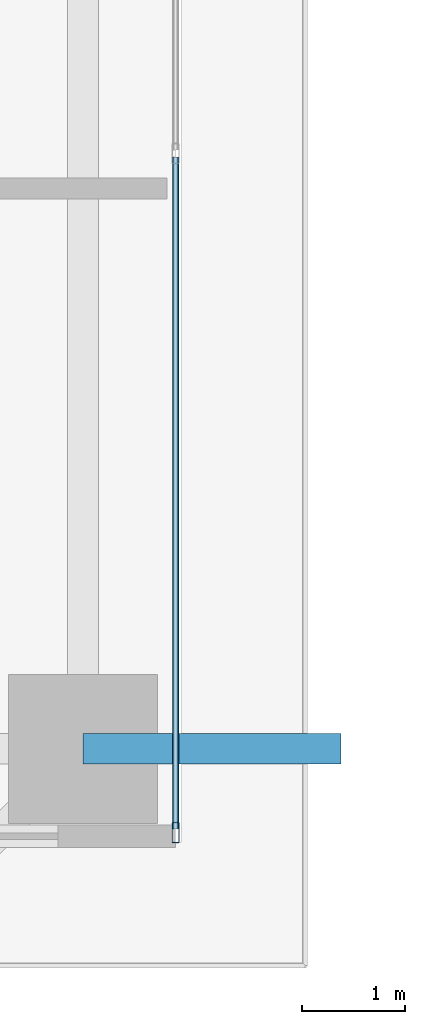
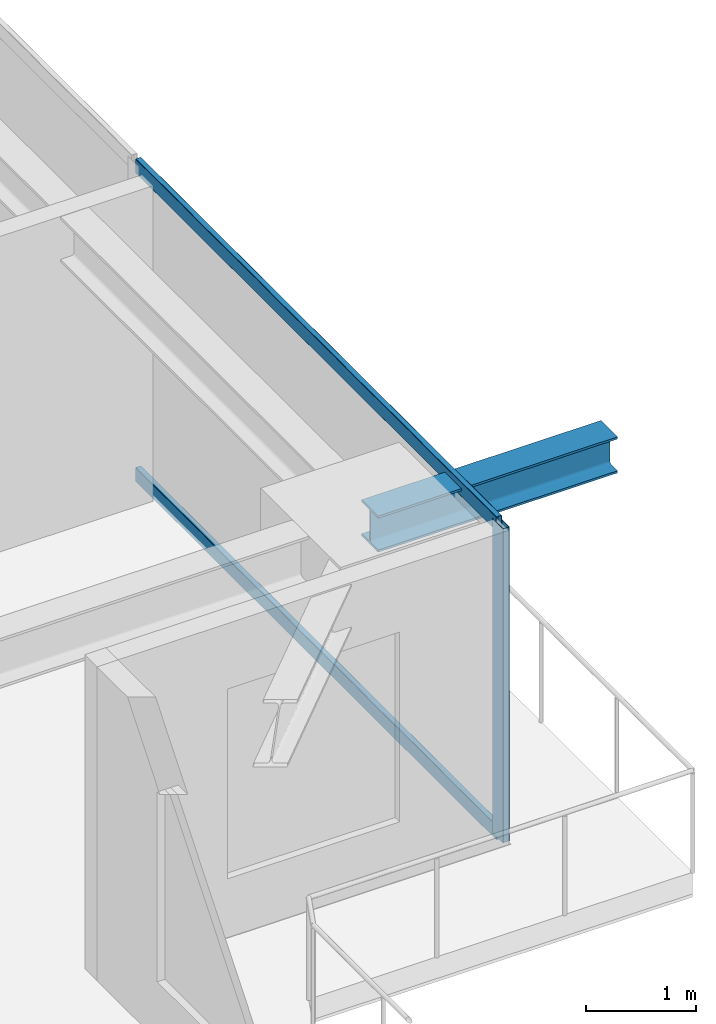
# One storey, part 13 of 41: 3 members, 1 beam, 1 element without a shape of its own.
"""IFC4 building model written with IfcOpenShell, lengths in metres."""

from ifc_helpers import new_model, si_unit, direction, frame, origin, origin_2d, place, context, subcontext, project, spatial, hollow_rectangle, i_section, extrude, source, transform, mapped, material, layer, layer_set, material_profile, profile_set, type_object, element, aggregate, save


model = new_model("IFC4")

# Units and contexts
model_context = context("Model", 3, precision=1e-05, world=origin(), true_north=direction((0.0, 1.0)))
body_context = subcontext(model_context, "Body", "Model", "MODEL_VIEW")
ifc_project = project(units=[si_unit("LENGTHUNIT", "METRE"), si_unit("AREAUNIT", "SQUARE_METRE"), si_unit("VOLUMEUNIT", "CUBIC_METRE"), si_unit("PLANEANGLEUNIT", "RADIAN"), si_unit("MASSUNIT", "GRAM", prefix="KILO")], contexts=[model_context])

# Site, building, storey
site_placement = place(None, origin())
site = spatial("IfcSite", under=ifc_project, at=site_placement, CompositionType="ELEMENT")
building_placement = place(site_placement, origin())
building = spatial("IfcBuilding", under=site, at=building_placement, Name="Serunith Strait Residences", CompositionType="ELEMENT")
storey_placement = place(building_placement, frame((0.0, 0.0, 75.449951171875)))
storey = spatial("IfcBuildingStorey", under=building, at=storey_placement, Name="L18", CompositionType="ELEMENT", Elevation=75.449951171875)

# Beam
ifc_material_1 = material(Name="Steel S355J2", Category="steel")
ifc_material_profile_1 = material_profile(ifc_material_1, i_section(OverallWidth=0.300048828125, OverallDepth=0.39990234375, WebThickness=0.013427734375, FlangeThickness=0.02392578125, FilletRadius=0.027099609375, at=origin_2d()), Name="HEB 400")
ifc_profile_set_1 = profile_set([ifc_material_profile_1], Name="Steel S355J2")
beam_type = type_object("IfcBeamType", Name="BM-HEB400", PredefinedType="BEAM", material=ifc_profile_set_1)
shared_shape_1 = source(origin(), body_context, "Body", "SweptSolid", [
    extrude(i_section(OverallWidth=0.300048828125, OverallDepth=0.39990234375, WebThickness=0.013427734375, FlangeThickness=0.02392578125, FilletRadius=0.027099609375, at=origin_2d()), origin(), (0.0, 0.0, 1.0), 2.507080078125),
])
beam_placement = place(storey_placement, frame((57.89990234375, 9.449951171875, 3.257080078125), z_axis=(1.0, 0.0, 0.0), x_axis=(0.0, 1.0, 0.0)))
element("IfcBeam", 1, at=beam_placement, inside=storey, type_object=beam_type, Name="L19 Cantilevered Balcony Rib TC-E1", PredefinedType="BEAM", context=body_context, shape_type="MappedRepresentation", body=[
    mapped(shared_shape_1, transform((0.0, 0.0, 0.0), scale=1.0)),
])

# Curtain wall, members
ifc_material_2 = material(Name="Pale-Champagne Anodised Aluminium", Category="aluminium")
ifc_layer = layer(ifc_material_2, 0.199951171875, Name="Pale-Champagne Anodised Aluminium")
ifc_layer_set = layer_set([ifc_layer], Name="Pale-Champagne Anodised Aluminium")
curtain_wall_type = type_object("IfcCurtainWallType", Name="CW-SYS1", PredefinedType="NOTDEFINED", material=ifc_layer_set)
curtain_wall_placement = place(storey_placement, origin())
curtain_wall = element("IfcCurtainWall", 2, at=curtain_wall_placement, inside=storey, type_object=curtain_wall_type, Name="L18 E Unitised Fritted Curtain Wall", PredefinedType="NOTDEFINED")
ifc_material_profile_2 = material_profile(ifc_material_2, hollow_rectangle(XDim=0.070068359375, YDim=0.199951171875, WallThickness=0.00390625, InnerFilletRadius=0.006103515625, OuterFilletRadius=0.010009765625, at=origin_2d()), Name="ALU 200x70x4")
ifc_profile_set_2 = profile_set([ifc_material_profile_2], Name="Pale-Champagne Anodised Aluminium")
member_type_1 = type_object("IfcMemberType", Name="CW-SYS1-MULL", PredefinedType="MULLION", material=ifc_profile_set_2)
shared_shape_2 = source(origin(), body_context, "Body", "SweptSolid", [
    extrude(hollow_rectangle(XDim=0.070068359375, YDim=0.199951171875, WallThickness=0.00390625, InnerFilletRadius=0.006103515625, OuterFilletRadius=0.010009765625, at=origin_2d()), origin(), (0.0, 0.0, 1.0), 3.47509765625),
])
member_1_placement = place(storey_placement, frame((58.800048828125, 8.635009765625, 0.0), z_axis=(0.0, 0.0, 1.0), x_axis=(-1.0, 0.0, 0.0)))
member_1 = element("IfcMember", 3, at=member_1_placement, type_object=member_type_1, Name="CW-1 mullion 1", PredefinedType="MULLION", context=body_context, shape_type="MappedRepresentation", body=[
    mapped(shared_shape_2, transform((0.0, 0.0, 0.0), scale=1.0)),
])
ifc_material_profile_3 = material_profile(ifc_material_2, hollow_rectangle(XDim=0.06005859375, YDim=0.159912109375, WallThickness=0.00341796875, InnerFilletRadius=0.00537109375, OuterFilletRadius=0.0087890625, at=origin_2d()), Name="ALU 160x60x3.5")
ifc_profile_set_3 = profile_set([ifc_material_profile_3], Name="Pale-Champagne Anodised Aluminium")
member_type_2 = type_object("IfcMemberType", Name="CW-SYS1-TRAN", PredefinedType="USERDEFINED", material=ifc_profile_set_3)
shared_shape_3 = source(origin(), body_context, "Body", "SweptSolid", [
    extrude(hollow_rectangle(XDim=0.06005859375, YDim=0.159912109375, WallThickness=0.00341796875, InnerFilletRadius=0.00537109375, OuterFilletRadius=0.0087890625, at=origin_2d()), origin(), (0.0, 0.0, 1.0), 6.53515625),
])
member_2_placement = place(storey_placement, frame((58.800048828125, 8.669921875, 0.030029296875), z_axis=(0.0, 1.0, 0.0), x_axis=(-1.0, 0.0, 0.0)))
member_2 = element("IfcMember", 4, at=member_2_placement, type_object=member_type_2, Name="CW-1 transom 1.1", ObjectType="TRANSOM", PredefinedType="USERDEFINED", context=body_context, shape_type="MappedRepresentation", body=[
    mapped(shared_shape_3, transform((0.0, 0.0, 0.0), scale=1.0)),
])
member_3_placement = place(storey_placement, frame((58.800048828125, 8.669921875, 3.445068359375), z_axis=(0.0, 1.0, 0.0), x_axis=(-1.0, 0.0, 0.0)))
member_3 = element("IfcMember", 5, at=member_3_placement, type_object=member_type_2, Name="CW-1 transom 1.2", ObjectType="TRANSOM", PredefinedType="USERDEFINED", context=body_context, shape_type="MappedRepresentation", body=[
    mapped(shared_shape_3, transform((0.0, 0.0, 0.0), scale=1.0)),
])
aggregate(curtain_wall, [member_1, member_2, member_3])

save(model, "model.ifc")
